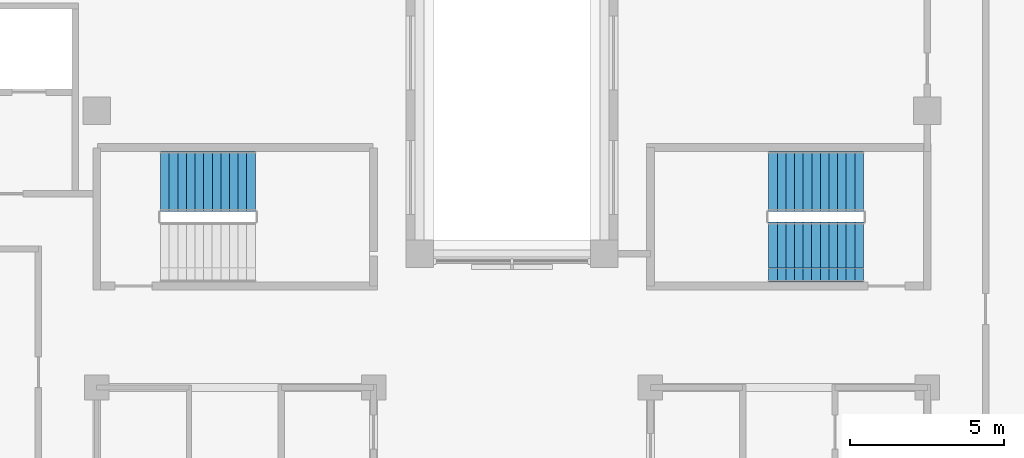
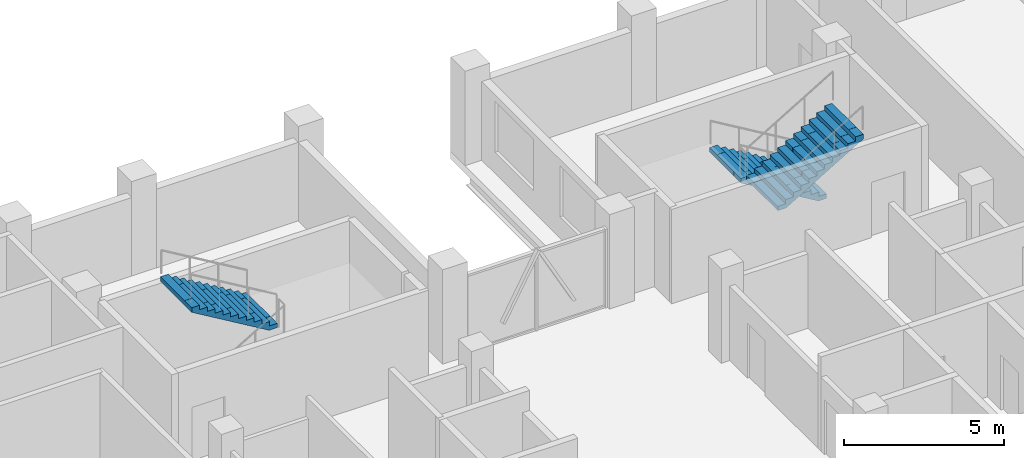
# One storey, part 12 of 13: 3 stair flights, 2 elements without a shape of their own.
"""IFC4 building model written with IfcOpenShell, lengths in metres."""

from ifc_helpers import new_model, si_unit, direction, frame, origin, place, context, subcontext, project, spatial, polyline, outline, extrude, material, type_object, element, aggregate, save


model = new_model("IFC4")

# Units and contexts
model_context = context("Model", 3, precision=1e-05, world=origin(), true_north=direction((0.0, 1.0)))
body_context = subcontext(model_context, "Body", "Model", "MODEL_VIEW")
ifc_project = project(units=[si_unit("LENGTHUNIT", "METRE"), si_unit("AREAUNIT", "SQUARE_METRE"), si_unit("VOLUMEUNIT", "CUBIC_METRE"), si_unit("PLANEANGLEUNIT", "RADIAN"), si_unit("MASSUNIT", "GRAM", prefix="KILO")], contexts=[model_context])

# Site, building, storey
site_placement = place(None, origin())
site = spatial("IfcSite", under=ifc_project, at=site_placement, CompositionType="ELEMENT")
building_placement = place(site_placement, origin())
building = spatial("IfcBuilding", under=site, at=building_placement, Name="Corbelhall Arena Tower", CompositionType="ELEMENT")
storey_placement = place(building_placement, frame((0.0, 0.0, 290.0)))
storey = spatial("IfcBuildingStorey", under=building, at=storey_placement, Name="L63", CompositionType="ELEMENT", Elevation=290.0)

# Stair, stair flight
ifc_material = material(Name="Concrete C40/50", Category="concrete")
stair_type = type_object("IfcStairType", Name="IN-ST-TOWER", PredefinedType="HALF_TURN_STAIR", material=ifc_material)
stair_1_placement = place(storey_placement, origin())
stair_1 = element("IfcStair", 1, at=stair_1_placement, inside=storey, type_object=stair_type, Name="L63 Exit stair ST1", PredefinedType="HALF_TURN_STAIR")
stair_flight_type = type_object("IfcStairFlightType", Name="IN-SFL-RC", PredefinedType="STRAIGHT", material=ifc_material)
stair_flight_1_placement = place(storey_placement, frame((-8.344970703125, 15.699951171875, 2.0), z_axis=(0.0, 0.0, 1.0), x_axis=(-1.0, 0.0, 0.0)))
stair_flight_1 = element("IfcStairFlight", 2, at=stair_flight_1_placement, type_object=stair_flight_type, Name="ST1 flight 2", NumberOfRisers=12, NumberOfTreads=11, PredefinedType="STRAIGHT", RiserHeight=0.166666667, TreadLength=0.28, context=body_context, shape_type="SweptSolid", body=[
    extrude(outline(polyline([(0.0, 0.0), (0.0, 0.166748046875), (0.280029296875, 0.166748046875), (0.280029296875, 0.333251953125), (0.56005859375, 0.333251953125), (0.56005859375, 0.5), (0.840087890625, 0.5), (0.840087890625, 0.666748046875), (1.1201171875, 0.666748046875), (1.1201171875, 0.833251953125), (1.39990234375, 0.833251953125), (1.39990234375, 1.0), (1.679931640625, 1.0), (1.679931640625, 1.166748046875), (1.9599609375, 1.166748046875), (1.9599609375, 1.333251953125), (2.239990234375, 1.333251953125), (2.239990234375, 1.5), (2.52001953125, 1.5), (2.52001953125, 1.666748046875), (2.800048828125, 1.666748046875), (2.800048828125, 1.833251953125), (3.080078125, 1.833251953125), (3.080078125, 2.0), (3.080078125, 1.658935546875), (0.29296875, 0.0), (0.0, 0.0)])), frame((0.0, 0.97509765625, 0.0), z_axis=(0.0, -1.0, 0.0), x_axis=(1.0, 0.0, 0.0)), (0.0, 0.0, 1.0), 0.449951171875),
    extrude(outline(polyline([(0.0, 0.0), (0.0, 0.166748046875), (0.280029296875, 0.166748046875), (0.280029296875, 0.333251953125), (0.56005859375, 0.333251953125), (0.56005859375, 0.5), (0.840087890625, 0.5), (0.840087890625, 0.666748046875), (1.1201171875, 0.666748046875), (1.1201171875, 0.833251953125), (1.39990234375, 0.833251953125), (1.39990234375, 1.0), (1.679931640625, 1.0), (1.679931640625, 1.166748046875), (1.9599609375, 1.166748046875), (1.9599609375, 1.333251953125), (2.239990234375, 1.333251953125), (2.239990234375, 1.5), (2.52001953125, 1.5), (2.52001953125, 1.666748046875), (2.800048828125, 1.666748046875), (2.800048828125, 1.833251953125), (3.080078125, 1.833251953125), (3.080078125, 2.0), (3.080078125, 1.658935546875), (0.29296875, 0.0), (0.0, 0.0)])), frame((0.0, 0.52099609375, 0.0), z_axis=(0.0, -1.0, 0.0), x_axis=(1.0, 0.0, 0.0)), (0.0, 0.0, 1.0), 1.0419921875),
    extrude(outline(polyline([(0.0, 0.0), (0.0, 0.166748046875), (0.280029296875, 0.166748046875), (0.280029296875, 0.333251953125), (0.56005859375, 0.333251953125), (0.56005859375, 0.5), (0.840087890625, 0.5), (0.840087890625, 0.666748046875), (1.1201171875, 0.666748046875), (1.1201171875, 0.833251953125), (1.39990234375, 0.833251953125), (1.39990234375, 1.0), (1.679931640625, 1.0), (1.679931640625, 1.166748046875), (1.9599609375, 1.166748046875), (1.9599609375, 1.333251953125), (2.239990234375, 1.333251953125), (2.239990234375, 1.5), (2.52001953125, 1.5), (2.52001953125, 1.666748046875), (2.800048828125, 1.666748046875), (2.800048828125, 1.833251953125), (3.080078125, 1.833251953125), (3.080078125, 2.0), (3.080078125, 1.658935546875), (0.29296875, 0.0), (0.0, 0.0)])), frame((0.0, -0.52490234375, 0.0), z_axis=(0.0, -1.0, 0.0), x_axis=(1.0, 0.0, 0.0)), (0.0, 0.0, 1.0), 0.449951171875),
])
aggregate(stair_1, [stair_flight_1])

# Stair, stair flights
stair_2_placement = place(storey_placement, origin())
stair_2 = element("IfcStair", 3, at=stair_2_placement, inside=storey, type_object=stair_type, Name="L63 Exit stair ST3", PredefinedType="HALF_TURN_STAIR")
stair_flight_2_placement = place(storey_placement, frame((11.425048828125, 15.699951171875, 0.0), z_axis=(0.0, 0.0, 1.0), x_axis=(-1.0, 0.0, 0.0)))
stair_flight_2 = element("IfcStairFlight", 4, at=stair_flight_2_placement, type_object=stair_flight_type, Name="ST3 flight 1", NumberOfRisers=12, NumberOfTreads=11, PredefinedType="STRAIGHT", RiserHeight=0.166666667, TreadLength=0.28, context=body_context, shape_type="SweptSolid", body=[
    extrude(outline(polyline([(0.0, 0.0), (0.0, 0.166748046875), (0.280029296875, 0.166748046875), (0.280029296875, 0.333251953125), (0.56005859375, 0.333251953125), (0.56005859375, 0.5), (0.840087890625, 0.5), (0.840087890625, 0.666748046875), (1.1201171875, 0.666748046875), (1.1201171875, 0.833251953125), (1.39990234375, 0.833251953125), (1.39990234375, 1.0), (1.679931640625, 1.0), (1.679931640625, 1.166748046875), (1.9599609375, 1.166748046875), (1.9599609375, 1.333251953125), (2.239990234375, 1.333251953125), (2.239990234375, 1.5), (2.52001953125, 1.5), (2.52001953125, 1.666748046875), (2.800048828125, 1.666748046875), (2.800048828125, 1.833251953125), (3.080078125, 1.833251953125), (3.080078125, 2.0), (3.080078125, 1.658935546875), (0.29296875, 0.0), (0.0, 0.0)])), frame((0.0, 0.97509765625, 0.0), z_axis=(0.0, -1.0, 0.0), x_axis=(1.0, 0.0, 0.0)), (0.0, 0.0, 1.0), 0.449951171875),
    extrude(outline(polyline([(0.0, 0.0), (0.0, 0.166748046875), (0.280029296875, 0.166748046875), (0.280029296875, 0.333251953125), (0.56005859375, 0.333251953125), (0.56005859375, 0.5), (0.840087890625, 0.5), (0.840087890625, 0.666748046875), (1.1201171875, 0.666748046875), (1.1201171875, 0.833251953125), (1.39990234375, 0.833251953125), (1.39990234375, 1.0), (1.679931640625, 1.0), (1.679931640625, 1.166748046875), (1.9599609375, 1.166748046875), (1.9599609375, 1.333251953125), (2.239990234375, 1.333251953125), (2.239990234375, 1.5), (2.52001953125, 1.5), (2.52001953125, 1.666748046875), (2.800048828125, 1.666748046875), (2.800048828125, 1.833251953125), (3.080078125, 1.833251953125), (3.080078125, 2.0), (3.080078125, 1.658935546875), (0.29296875, 0.0), (0.0, 0.0)])), frame((0.0, 0.52099609375, 0.0), z_axis=(0.0, -1.0, 0.0), x_axis=(1.0, 0.0, 0.0)), (0.0, 0.0, 1.0), 1.0419921875),
    extrude(outline(polyline([(0.0, 0.0), (0.0, 0.166748046875), (0.280029296875, 0.166748046875), (0.280029296875, 0.333251953125), (0.56005859375, 0.333251953125), (0.56005859375, 0.5), (0.840087890625, 0.5), (0.840087890625, 0.666748046875), (1.1201171875, 0.666748046875), (1.1201171875, 0.833251953125), (1.39990234375, 0.833251953125), (1.39990234375, 1.0), (1.679931640625, 1.0), (1.679931640625, 1.166748046875), (1.9599609375, 1.166748046875), (1.9599609375, 1.333251953125), (2.239990234375, 1.333251953125), (2.239990234375, 1.5), (2.52001953125, 1.5), (2.52001953125, 1.666748046875), (2.800048828125, 1.666748046875), (2.800048828125, 1.833251953125), (3.080078125, 1.833251953125), (3.080078125, 2.0), (3.080078125, 1.658935546875), (0.29296875, 0.0), (0.0, 0.0)])), frame((0.0, -0.52490234375, 0.0), z_axis=(0.0, -1.0, 0.0), x_axis=(1.0, 0.0, 0.0)), (0.0, 0.0, 1.0), 0.449951171875),
])
stair_flight_3_placement = place(storey_placement, frame((8.344970703125, 13.39990234375, 2.0), z_axis=(0.0, 0.0, 1.0), x_axis=(1.0, 0.0, 0.0)))
stair_flight_3 = element("IfcStairFlight", 5, at=stair_flight_3_placement, type_object=stair_flight_type, Name="ST3 flight 2", NumberOfRisers=12, NumberOfTreads=11, PredefinedType="STRAIGHT", RiserHeight=0.166666667, TreadLength=0.28, context=body_context, shape_type="SweptSolid", body=[
    extrude(outline(polyline([(0.0, 0.0), (0.0, 0.166748046875), (0.280029296875, 0.166748046875), (0.280029296875, 0.333251953125), (0.56005859375, 0.333251953125), (0.56005859375, 0.5), (0.840087890625, 0.5), (0.840087890625, 0.666748046875), (1.1201171875, 0.666748046875), (1.1201171875, 0.833251953125), (1.39990234375, 0.833251953125), (1.39990234375, 1.0), (1.679931640625, 1.0), (1.679931640625, 1.166748046875), (1.9599609375, 1.166748046875), (1.9599609375, 1.333251953125), (2.239990234375, 1.333251953125), (2.239990234375, 1.5), (2.52001953125, 1.5), (2.52001953125, 1.666748046875), (2.800048828125, 1.666748046875), (2.800048828125, 1.833251953125), (3.080078125, 1.833251953125), (3.080078125, 2.0), (3.080078125, 1.658935546875), (0.29296875, 0.0), (0.0, 0.0)])), frame((0.0, 0.97509765625, 0.0), z_axis=(0.0, -1.0, 0.0), x_axis=(1.0, 0.0, 0.0)), (0.0, 0.0, 1.0), 0.449951171875),
    extrude(outline(polyline([(0.0, 0.0), (0.0, 0.166748046875), (0.280029296875, 0.166748046875), (0.280029296875, 0.333251953125), (0.56005859375, 0.333251953125), (0.56005859375, 0.5), (0.840087890625, 0.5), (0.840087890625, 0.666748046875), (1.1201171875, 0.666748046875), (1.1201171875, 0.833251953125), (1.39990234375, 0.833251953125), (1.39990234375, 1.0), (1.679931640625, 1.0), (1.679931640625, 1.166748046875), (1.9599609375, 1.166748046875), (1.9599609375, 1.333251953125), (2.239990234375, 1.333251953125), (2.239990234375, 1.5), (2.52001953125, 1.5), (2.52001953125, 1.666748046875), (2.800048828125, 1.666748046875), (2.800048828125, 1.833251953125), (3.080078125, 1.833251953125), (3.080078125, 2.0), (3.080078125, 1.658935546875), (0.29296875, 0.0), (0.0, 0.0)])), frame((0.0, 0.52099609375, 0.0), z_axis=(0.0, -1.0, 0.0), x_axis=(1.0, 0.0, 0.0)), (0.0, 0.0, 1.0), 1.0419921875),
    extrude(outline(polyline([(0.0, 0.0), (0.0, 0.166748046875), (0.280029296875, 0.166748046875), (0.280029296875, 0.333251953125), (0.56005859375, 0.333251953125), (0.56005859375, 0.5), (0.840087890625, 0.5), (0.840087890625, 0.666748046875), (1.1201171875, 0.666748046875), (1.1201171875, 0.833251953125), (1.39990234375, 0.833251953125), (1.39990234375, 1.0), (1.679931640625, 1.0), (1.679931640625, 1.166748046875), (1.9599609375, 1.166748046875), (1.9599609375, 1.333251953125), (2.239990234375, 1.333251953125), (2.239990234375, 1.5), (2.52001953125, 1.5), (2.52001953125, 1.666748046875), (2.800048828125, 1.666748046875), (2.800048828125, 1.833251953125), (3.080078125, 1.833251953125), (3.080078125, 2.0), (3.080078125, 1.658935546875), (0.29296875, 0.0), (0.0, 0.0)])), frame((0.0, -0.52490234375, 0.0), z_axis=(0.0, -1.0, 0.0), x_axis=(1.0, 0.0, 0.0)), (0.0, 0.0, 1.0), 0.449951171875),
])
aggregate(stair_2, [stair_flight_2, stair_flight_3])

save(model, "model.ifc")
